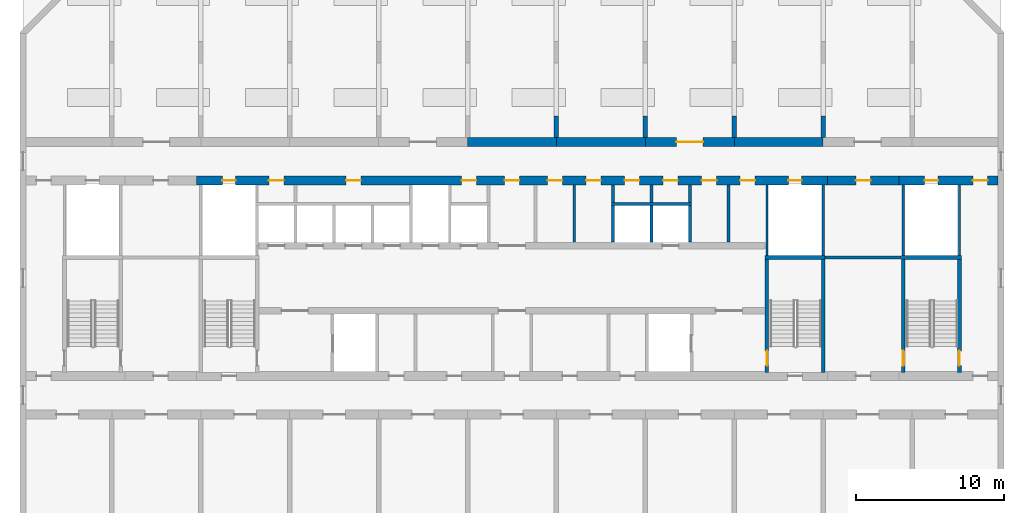
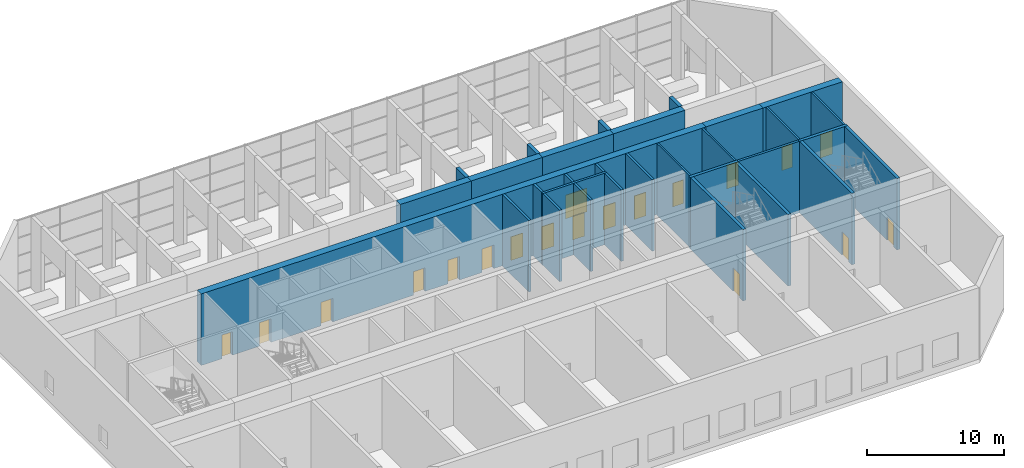
# One storey, part 9 of 13: 31 walls, 19 doors, 19 openings.
"""IFC4 building model written with IfcOpenShell, lengths in metres."""

from ifc_helpers import new_model, si_unit, direction, frame, frame_2d, origin, place, context, subcontext, project, spatial, rectangle, extrude, material, layer, layer_set, type_object, element, fill, save


model = new_model("IFC4")

# Units and contexts
model_context = context("Model", 3, precision=1e-05, world=origin(), true_north=direction((0.0, 1.0)))
body_context = subcontext(model_context, "Body", "Model", "MODEL_VIEW")
ifc_project = project(units=[si_unit("LENGTHUNIT", "METRE"), si_unit("AREAUNIT", "SQUARE_METRE"), si_unit("VOLUMEUNIT", "CUBIC_METRE"), si_unit("PLANEANGLEUNIT", "RADIAN"), si_unit("MASSUNIT", "GRAM", prefix="KILO")], contexts=[model_context])

# Site, building, storey
site_placement = place(None, origin())
site = spatial("IfcSite", under=ifc_project, at=site_placement, CompositionType="ELEMENT")
building_placement = place(site_placement, origin())
building = spatial("IfcBuilding", under=site, at=building_placement, Name="Poui Terraces", CompositionType="ELEMENT")
storey_placement = place(building_placement, frame((0.0, 0.0, 165.300048828125)))
storey = spatial("IfcBuildingStorey", under=building, at=storey_placement, Name="L46", CompositionType="ELEMENT", Elevation=165.300048828125)

# Walls
ifc_material_1 = material(Name="Concrete 65 MPa", Category="concrete")
ifc_layer_1 = layer(ifc_material_1, 0.60009765625)
ifc_layer_set_1 = layer_set([ifc_layer_1], Name="Concrete 65 MPa")
wall_type_1 = type_object("IfcWallType", Name="BELT WALL 600 65MPa", PredefinedType="SHEAR", material=ifc_layer_set_1)
for number, where, z_axis, x_axis, name in (
    (1, (48.0, 30.39990234375, 0.0), (0.0, 0.0, 1.0), (1.0, 0.0, 0.0), "BELT WALL LINE E BAY 6"),
    (2, (54.0, 30.39990234375, 0.0), (0.0, 0.0, 1.0), (1.0, 0.0, 0.0), "BELT WALL LINE E BAY 7"),
):
    element("IfcWall", number, at=place(storey_placement, frame(where, z_axis=z_axis, x_axis=x_axis)), inside=storey, type_object=wall_type_1, Name=name, PredefinedType="SHEAR", context=body_context, shape_type="SweptSolid", body=[
        extrude(rectangle(XDim=6.0, YDim=0.60009765625, at=frame_2d((3.0, 0.0))), origin(), (0.0, 0.0, 1.0), 6.3798828125),
    ])

# Wall, opening, door
wall_1_placement = place(storey_placement, frame((60.0, 30.39990234375, 0.0), z_axis=(0.0, 0.0, 1.0), x_axis=(1.0, 0.0, 0.0)))
wall_1 = element("IfcWall", 3, at=wall_1_placement, inside=storey, type_object=wall_type_1, Name="BELT WALL LINE E BAY 8", PredefinedType="SHEAR", context=body_context, shape_type="SweptSolid", body=[
    extrude(rectangle(XDim=6.0, YDim=0.60009765625, at=frame_2d((3.0, 0.0))), origin(), (0.0, 0.0, 1.0), 6.3798828125),
])
opening_1_placement = place(wall_1_placement, frame((2.10009765625, 0.0, 0.0)))
opening_1 = element("IfcOpeningElement", 4, at=opening_1_placement, cuts=wall_1, Name="Opening DD180", PredefinedType="OPENING", context=body_context, shape_type="SweptSolid", body=[
    extrude(rectangle(XDim=1.800048828125, YDim=2.10009765625, at=frame_2d((0.89990234375, 1.050048828125))), frame((0.0, 0.31005859375, 0.0), z_axis=(0.0, -1.0, 0.0), x_axis=(1.0, 0.0, 0.0)), (0.0, 0.0, 1.0), 0.6201171875),
])
ifc_material_2 = material(Name="Steel fire door", Category="steel")
door_type_1 = type_object("IfcDoorType", Name="DOUBLE INTERNAL DOOR 1800 X 2100", OperationType="DOUBLE_DOOR_SINGLE_SWING", PredefinedType="DOOR", material=ifc_material_2)
door_1_placement = place(opening_1_placement, frame((1.800048828125, 0.0, 0.0), z_axis=(0.0, 0.0, 1.0), x_axis=(-1.0, 0.0, 0.0)))
door_1 = element("IfcDoor", 5, at=door_1_placement, inside=storey, type_object=door_type_1, Name="DOUBLE INTERNAL DOOR 015", OperationType="DOUBLE_DOOR_SINGLE_SWING", OverallHeight=2.10009765625, OverallWidth=1.800048828125, PredefinedType="DOOR", context=body_context, shape_type="SweptSolid", body=[
    extrude(rectangle(XDim=1.800048828125, YDim=2.10009765625, at=frame_2d((0.89990234375, 1.050048828125))), frame((0.0, 0.02490234375, 0.0), z_axis=(0.0, -1.0, 0.0), x_axis=(1.0, 0.0, 0.0)), (0.0, 0.0, 1.0), 0.050048828125),
])
fill(opening_1, door_1)

# Wall
wall_2_placement = place(storey_placement, frame((66.0, 30.39990234375, 0.0), z_axis=(0.0, 0.0, 1.0), x_axis=(1.0, 0.0, 0.0)))
element("IfcWall", 6, at=wall_2_placement, inside=storey, type_object=wall_type_1, Name="BELT WALL LINE E BAY 9", PredefinedType="SHEAR", context=body_context, shape_type="SweptSolid", body=[
    extrude(rectangle(XDim=6.0, YDim=0.60009765625, at=frame_2d((3.0, 0.0))), origin(), (0.0, 0.0, 1.0), 6.3798828125),
])

# Wall, opening, door
ifc_layer_2 = layer(ifc_material_1, 0.60009765625)
ifc_layer_set_2 = layer_set([ifc_layer_2], Name="Concrete 65 MPa")
wall_type_2 = type_object("IfcWallType", Name="OUTRIGGER WALL 600 65MPa", PredefinedType="SHEAR", material=ifc_layer_set_2)
wall_3_placement = place(storey_placement, frame((72.300048828125, 27.800048828125, 0.0), z_axis=(0.0, 0.0, 1.0), x_axis=(1.0, 0.0, 0.0)))
wall_3 = element("IfcWall", 7, at=wall_3_placement, inside=storey, type_object=wall_type_2, Name="OUTRIGGER WALL LINE D E2", PredefinedType="SHEAR", context=body_context, shape_type="SweptSolid", body=[
    extrude(rectangle(XDim=4.800048828125, YDim=0.60009765625, at=frame_2d((2.39990234375, 0.0))), origin(), (0.0, 0.0, 1.0), 6.3798828125),
])
opening_2_placement = place(wall_3_placement, frame((1.89990234375, 0.0, 0.0)))
opening_2 = element("IfcOpeningElement", 8, at=opening_2_placement, cuts=wall_3, Name="Opening FD60", PredefinedType="OPENING", context=body_context, shape_type="SweptSolid", body=[
    extrude(rectangle(XDim=1.0, YDim=2.10009765625, at=frame_2d((0.5, 1.050048828125))), frame((0.0, 0.31005859375, 0.0), z_axis=(0.0, -1.0, 0.0), x_axis=(1.0, 0.0, 0.0)), (0.0, 0.0, 1.0), 0.6201171875),
])
door_type_2 = type_object("IfcDoorType", Name="SERVICE ROOM FIRE DOOR 1000 X 2100", OperationType="NOTDEFINED", PredefinedType="DOOR", material=ifc_material_2)
door_2_placement = place(opening_2_placement, origin())
door_2 = element("IfcDoor", 9, at=door_2_placement, inside=storey, type_object=door_type_2, Name="SERVICE ROOM FIRE DOOR 019", OperationType="SINGLE_SWING_LEFT", OverallHeight=2.10009765625, OverallWidth=1.0, PredefinedType="DOOR", context=body_context, shape_type="SweptSolid", body=[
    extrude(rectangle(XDim=1.0, YDim=2.10009765625, at=frame_2d((0.5, 1.050048828125))), frame((0.0, 0.02490234375, 0.0), z_axis=(0.0, -1.0, 0.0), x_axis=(1.0, 0.0, 0.0)), (0.0, 0.0, 1.0), 0.050048828125),
])
fill(opening_2, door_2)

# Walls
ifc_layer_3 = layer(ifc_material_1, 0.300048828125)
ifc_layer_set_3 = layer_set([ifc_layer_3], Name="Concrete 65 MPa")
wall_type_3 = type_object("IfcWallType", Name="PIERCED CROSS WALL 300 65MPa", PredefinedType="SHEAR", material=ifc_layer_set_3)
for number, where, z_axis, x_axis, name in (
    (10, (54.0, 30.699951171875, 0.0), (0.0, 0.0, 1.0), (0.0, 1.0, 0.0), "PIER LINE 10 1"),
    (11, (60.0, 30.699951171875, 0.0), (0.0, 0.0, 1.0), (0.0, 1.0, 0.0), "PIER LINE 11 1"),
    (12, (66.0, 30.699951171875, 0.0), (0.0, 0.0, 1.0), (0.0, 1.0, 0.0), "PIER LINE 12 1"),
    (13, (72.0, 30.699951171875, 0.0), (0.0, 0.0, 1.0), (0.0, 1.0, 0.0), "PIER LINE 13 1"),
):
    element("IfcWall", number, at=place(storey_placement, frame(where, z_axis=z_axis, x_axis=x_axis)), inside=storey, type_object=wall_type_3, Name=name, PredefinedType="SHEAR", context=body_context, shape_type="SweptSolid", body=[
        extrude(rectangle(XDim=1.433349609375, YDim=0.300048828125, at=frame_2d((0.716796875, 0.0))), origin(), (0.0, 0.0, 1.0), 6.3798828125),
    ])
ifc_material_3 = material(Name="Fire-rated masonry wall", Category="masonry")
ifc_layer_4 = layer(ifc_material_3, 0.199951171875)
ifc_layer_set_4 = layer_set([ifc_layer_4], Name="Fire-rated masonry wall")
wall_type_4 = type_object("IfcWallType", Name="PLANT ROOM WALL 200", PredefinedType="PARTITIONING", material=ifc_layer_set_4)
wall_4_placement = place(storey_placement, frame((55.199951171875, 23.635009765625, 0.0), z_axis=(0.0, 0.0, 1.0), x_axis=(0.0, 1.0, 0.0)))
element("IfcWall", 14, at=wall_4_placement, inside=storey, type_object=wall_type_4, Name="PLANT ROOM WALL 200", PredefinedType="PARTITIONING", context=body_context, shape_type="SweptSolid", body=[
    extrude(rectangle(XDim=3.85498046875, YDim=0.199951171875, at=frame_2d((1.927490234375, 0.0))), origin(), (0.0, 0.0, 1.0), 6.3798828125),
])
for number, where, z_axis, x_axis, name in (
    (15, (57.800048828125, 26.300048828125, 0.0), (0.0, 0.0, 1.0), (0.0, 1.0, 0.0), "PLANT ROOM WALL 200"),
    (16, (60.39990234375, 26.300048828125, 0.0), (0.0, 0.0, 1.0), (0.0, 1.0, 0.0), "PLANT ROOM WALL 200"),
    (17, (63.0, 26.300048828125, 0.0), (0.0, 0.0, 1.0), (0.0, 1.0, 0.0), "PLANT ROOM WALL 200"),
):
    element("IfcWall", number, at=place(storey_placement, frame(where, z_axis=z_axis, x_axis=x_axis)), inside=storey, type_object=wall_type_4, Name=name, PredefinedType="PARTITIONING", context=body_context, shape_type="SweptSolid", body=[
        extrude(rectangle(XDim=1.18994140625, YDim=0.199951171875, at=frame_2d((0.594970703125, 0.0))), origin(), (0.0, 0.0, 1.0), 6.3798828125),
    ])
wall_5_placement = place(storey_placement, frame((65.60009765625, 23.635009765625, 0.0), z_axis=(0.0, 0.0, 1.0), x_axis=(0.0, 1.0, 0.0)))
element("IfcWall", 18, at=wall_5_placement, inside=storey, type_object=wall_type_4, Name="PLANT ROOM WALL 200", PredefinedType="PARTITIONING", context=body_context, shape_type="SweptSolid", body=[
    extrude(rectangle(XDim=3.85498046875, YDim=0.199951171875, at=frame_2d((1.927490234375, 0.0))), origin(), (0.0, 0.0, 1.0), 6.3798828125),
])
ifc_layer_5 = layer(ifc_material_3, 0.199951171875)
ifc_layer_set_5 = layer_set([ifc_layer_5], Name="Fire-rated masonry wall")
wall_type_5 = type_object("IfcWallType", Name="REFUGE AREA WALL 200", PredefinedType="PARTITIONING", material=ifc_layer_set_5)
wall_6_placement = place(storey_placement, frame((72.135009765625, 22.60009765625, 0.0), z_axis=(0.0, 0.0, 1.0), x_axis=(1.0, 0.0, 0.0)))
element("IfcWall", 19, at=wall_6_placement, inside=storey, type_object=wall_type_5, Name="REFUGE AREA WALL 200", PredefinedType="PARTITIONING", context=body_context, shape_type="SweptSolid", body=[
    extrude(rectangle(XDim=5.1298828125, YDim=0.199951171875, at=frame_2d((2.56494140625, 0.0))), origin(), (0.0, 0.0, 1.0), 6.3798828125),
])
ifc_material_4 = material(Name="Fire-rated plasterboard riser wall")
ifc_layer_6 = layer(ifc_material_4, 0.14990234375)
ifc_layer_set_6 = layer_set([ifc_layer_6], Name="Fire-rated plasterboard riser wall")
wall_type_6 = type_object("IfcWallType", Name="RISER WALL 150", PredefinedType="PARTITIONING", material=ifc_layer_set_6)
for number, where, z_axis, x_axis, name in (
    (20, (68.199951171875, 22.735107421875, 0.0), (0.0, 0.0, 1.0), (0.0, 1.0, 0.0), "RISER WALL 150"),
    (21, (72.0, 22.735107421875, 0.0), (0.0, 0.0, 1.0), (0.0, 1.0, 0.0), "RISER WALL 150"),
    (22, (77.39990234375, 22.735107421875, 0.0), (0.0, 0.0, 1.0), (0.0, 1.0, 0.0), "RISER WALL 150"),
    (23, (81.199951171875, 22.735107421875, 0.0), (0.0, 0.0, 1.0), (0.0, 1.0, 0.0), "RISER WALL 150"),
):
    element("IfcWall", number, at=place(storey_placement, frame(where, z_axis=z_axis, x_axis=x_axis)), inside=storey, type_object=wall_type_6, Name=name, PredefinedType="PARTITIONING", context=body_context, shape_type="SweptSolid", body=[
        extrude(rectangle(XDim=4.7548828125, YDim=0.14990234375, at=frame_2d((2.37744140625, 0.0))), origin(), (0.0, 0.0, 1.0), 6.3798828125),
    ])
ifc_material_5 = material(Name="Fire-rated masonry shaft wall", Category="masonry")
ifc_layer_7 = layer(ifc_material_5, 0.199951171875)
ifc_layer_set_7 = layer_set([ifc_layer_7], Name="Fire-rated masonry shaft wall")
wall_type_7 = type_object("IfcWallType", Name="SHAFT WALL 200", PredefinedType="PARTITIONING", material=ifc_layer_set_7)
wall_7_placement = place(storey_placement, frame((57.699951171875, 26.199951171875, 0.0), z_axis=(0.0, 0.0, 1.0), x_axis=(1.0, 0.0, 0.0)))
element("IfcWall", 24, at=wall_7_placement, inside=storey, type_object=wall_type_7, Name="SHAFT WALL 200", PredefinedType="PARTITIONING", context=body_context, shape_type="SweptSolid", body=[
    extrude(rectangle(XDim=5.400146484375, YDim=0.199951171875, at=frame_2d((2.7001953125, 0.0))), origin(), (0.0, 0.0, 1.0), 6.3798828125),
])
for number, where, z_axis, x_axis, name in (
    (25, (57.800048828125, 23.635009765625, 0.0), (0.0, 0.0, 1.0), (0.0, 1.0, 0.0), "SHAFT WALL 200"),
    (26, (60.39990234375, 23.635009765625, 0.0), (0.0, 0.0, 1.0), (0.0, 1.0, 0.0), "SHAFT WALL 200"),
    (27, (63.0, 23.635009765625, 0.0), (0.0, 0.0, 1.0), (0.0, 1.0, 0.0), "SHAFT WALL 200"),
):
    element("IfcWall", number, at=place(storey_placement, frame(where, z_axis=z_axis, x_axis=x_axis)), inside=storey, type_object=wall_type_7, Name=name, PredefinedType="PARTITIONING", context=body_context, shape_type="SweptSolid", body=[
        extrude(rectangle(XDim=2.465087890625, YDim=0.199951171875, at=frame_2d((1.232421875, 0.0))), origin(), (0.0, 0.0, 1.0), 6.3798828125),
    ])

# Wall, openings, doors
ifc_layer_8 = layer(ifc_material_1, 0.60009765625)
ifc_layer_set_8 = layer_set([ifc_layer_8], Name="Concrete 65 MPa")
wall_type_8 = type_object("IfcWallType", Name="SPINE WALL 600 65 MPA", PredefinedType="SOLIDWALL", material=ifc_layer_set_8)
wall_8_placement = place(storey_placement, frame((29.699951171875, 27.800048828125, 0.0), z_axis=(0.0, 0.0, 1.0), x_axis=(1.0, 0.0, 0.0)))
wall_8 = element("IfcWall", 28, at=wall_8_placement, inside=storey, type_object=wall_type_8, Name="SPINE WALL", PredefinedType="SOLIDWALL", context=body_context, shape_type="SweptSolid", body=[
    extrude(rectangle(XDim=42.60009765625, YDim=0.60009765625, at=frame_2d((21.300048828125, 0.0))), origin(), (0.0, 0.0, 1.0), 6.3798828125),
])
opening_3_placement = place(wall_8_placement, frame((1.75, 0.0, 0.0)))
opening_3 = element("IfcOpeningElement", 29, at=opening_3_placement, cuts=wall_8, Name="Opening FDR", PredefinedType="OPENING", context=body_context, shape_type="SweptSolid", body=[
    extrude(rectangle(XDim=0.89990234375, YDim=2.10009765625, at=frame_2d((0.449951171875, 1.050048828125))), frame((0.0, 0.31005859375, 0.0), z_axis=(0.0, -1.0, 0.0), x_axis=(1.0, 0.0, 0.0)), (0.0, 0.0, 1.0), 0.6201171875),
])
opening_4_placement = place(wall_8_placement, frame((4.89990234375, 0.0, 0.0)))
opening_4 = element("IfcOpeningElement", 30, at=opening_4_placement, cuts=wall_8, Name="Opening FD60", PredefinedType="OPENING", context=body_context, shape_type="SweptSolid", body=[
    extrude(rectangle(XDim=1.0, YDim=2.10009765625, at=frame_2d((0.5, 1.050048828125))), frame((0.0, 0.31005859375, 0.0), z_axis=(0.0, -1.0, 0.0), x_axis=(1.0, 0.0, 0.0)), (0.0, 0.0, 1.0), 0.6201171875),
])
opening_5_placement = place(wall_8_placement, frame((10.10009765625, 0.0, 0.0)))
opening_5 = element("IfcOpeningElement", 31, at=opening_5_placement, cuts=wall_8, Name="Opening FD60", PredefinedType="OPENING", context=body_context, shape_type="SweptSolid", body=[
    extrude(rectangle(XDim=1.0, YDim=2.10009765625, at=frame_2d((0.5, 1.050048828125))), frame((0.0, 0.31005859375, 0.0), z_axis=(0.0, -1.0, 0.0), x_axis=(1.0, 0.0, 0.0)), (0.0, 0.0, 1.0), 0.6201171875),
])
opening_6_placement = place(wall_8_placement, frame((17.89990234375, 0.0, 0.0)))
opening_6 = element("IfcOpeningElement", 32, at=opening_6_placement, cuts=wall_8, Name="Opening FD60", PredefinedType="OPENING", context=body_context, shape_type="SweptSolid", body=[
    extrude(rectangle(XDim=1.0, YDim=2.10009765625, at=frame_2d((0.5, 1.050048828125))), frame((0.0, 0.31005859375, 0.0), z_axis=(0.0, -1.0, 0.0), x_axis=(1.0, 0.0, 0.0)), (0.0, 0.0, 1.0), 0.6201171875),
])
opening_7_placement = place(wall_8_placement, frame((20.800048828125, 0.0, 0.0)))
opening_7 = element("IfcOpeningElement", 33, at=opening_7_placement, cuts=wall_8, Name="Opening FDL", PredefinedType="OPENING", context=body_context, shape_type="SweptSolid", body=[
    extrude(rectangle(XDim=1.0, YDim=2.10009765625, at=frame_2d((0.5, 1.050048828125))), frame((0.0, 0.31005859375, 0.0), z_axis=(0.0, -1.0, 0.0), x_axis=(1.0, 0.0, 0.0)), (0.0, 0.0, 1.0), 0.6201171875),
])
opening_8_placement = place(wall_8_placement, frame((23.699951171875, 0.0, 0.0)))
opening_8 = element("IfcOpeningElement", 34, at=opening_8_placement, cuts=wall_8, Name="Opening FD60", PredefinedType="OPENING", context=body_context, shape_type="SweptSolid", body=[
    extrude(rectangle(XDim=1.0, YDim=2.10009765625, at=frame_2d((0.5, 1.050048828125))), frame((0.0, 0.31005859375, 0.0), z_axis=(0.0, -1.0, 0.0), x_axis=(1.0, 0.0, 0.0)), (0.0, 0.0, 1.0), 0.6201171875),
])
opening_9_placement = place(wall_8_placement, frame((26.300048828125, 0.0, 0.0)))
opening_9 = element("IfcOpeningElement", 35, at=opening_9_placement, cuts=wall_8, Name="Opening FD60", PredefinedType="OPENING", context=body_context, shape_type="SweptSolid", body=[
    extrude(rectangle(XDim=1.0, YDim=2.10009765625, at=frame_2d((0.5, 1.050048828125))), frame((0.0, 0.31005859375, 0.0), z_axis=(0.0, -1.0, 0.0), x_axis=(1.0, 0.0, 0.0)), (0.0, 0.0, 1.0), 0.6201171875),
])
opening_10_placement = place(wall_8_placement, frame((28.89990234375, 0.0, 0.0)))
opening_10 = element("IfcOpeningElement", 36, at=opening_10_placement, cuts=wall_8, Name="Opening FD60", PredefinedType="OPENING", context=body_context, shape_type="SweptSolid", body=[
    extrude(rectangle(XDim=1.0, YDim=2.10009765625, at=frame_2d((0.5, 1.050048828125))), frame((0.0, 0.31005859375, 0.0), z_axis=(0.0, -1.0, 0.0), x_axis=(1.0, 0.0, 0.0)), (0.0, 0.0, 1.0), 0.6201171875),
])
opening_11_placement = place(wall_8_placement, frame((31.5, 0.0, 0.0)))
opening_11 = element("IfcOpeningElement", 37, at=opening_11_placement, cuts=wall_8, Name="Opening FD60", PredefinedType="OPENING", context=body_context, shape_type="SweptSolid", body=[
    extrude(rectangle(XDim=1.0, YDim=2.10009765625, at=frame_2d((0.5, 1.050048828125))), frame((0.0, 0.31005859375, 0.0), z_axis=(0.0, -1.0, 0.0), x_axis=(1.0, 0.0, 0.0)), (0.0, 0.0, 1.0), 0.6201171875),
])
opening_12_placement = place(wall_8_placement, frame((34.10009765625, 0.0, 0.0)))
opening_12 = element("IfcOpeningElement", 38, at=opening_12_placement, cuts=wall_8, Name="Opening FD60", PredefinedType="OPENING", context=body_context, shape_type="SweptSolid", body=[
    extrude(rectangle(XDim=1.0, YDim=2.10009765625, at=frame_2d((0.5, 1.050048828125))), frame((0.0, 0.31005859375, 0.0), z_axis=(0.0, -1.0, 0.0), x_axis=(1.0, 0.0, 0.0)), (0.0, 0.0, 1.0), 0.6201171875),
])
opening_13_placement = place(wall_8_placement, frame((36.699951171875, 0.0, 0.0)))
opening_13 = element("IfcOpeningElement", 39, at=opening_13_placement, cuts=wall_8, Name="Opening FD60", PredefinedType="OPENING", context=body_context, shape_type="SweptSolid", body=[
    extrude(rectangle(XDim=1.0, YDim=2.10009765625, at=frame_2d((0.5, 1.050048828125))), frame((0.0, 0.31005859375, 0.0), z_axis=(0.0, -1.0, 0.0), x_axis=(1.0, 0.0, 0.0)), (0.0, 0.0, 1.0), 0.6201171875),
])
opening_14_placement = place(wall_8_placement, frame((39.949951171875, 0.0, 0.0)))
opening_14 = element("IfcOpeningElement", 40, at=opening_14_placement, cuts=wall_8, Name="Opening FDR", PredefinedType="OPENING", context=body_context, shape_type="SweptSolid", body=[
    extrude(rectangle(XDim=0.89990234375, YDim=2.10009765625, at=frame_2d((0.449951171875, 1.050048828125))), frame((0.0, 0.31005859375, 0.0), z_axis=(0.0, -1.0, 0.0), x_axis=(1.0, 0.0, 0.0)), (0.0, 0.0, 1.0), 0.6201171875),
])
door_type_3 = type_object("IfcDoorType", Name="LOBBY FIRE DOOR 1000 X 2100", OperationType="NOTDEFINED", PredefinedType="DOOR", material=ifc_material_2)
door_3_placement = place(opening_7_placement, origin())
door_3 = element("IfcDoor", 41, at=door_3_placement, inside=storey, type_object=door_type_3, Name="LOBBY FIRE DOOR 010", OperationType="SINGLE_SWING_RIGHT", OverallHeight=2.10009765625, OverallWidth=1.0, PredefinedType="DOOR", context=body_context, shape_type="SweptSolid", body=[
    extrude(rectangle(XDim=1.0, YDim=2.10009765625, at=frame_2d((0.5, 1.050048828125))), frame((0.0, 0.02490234375, 0.0), z_axis=(0.0, -1.0, 0.0), x_axis=(1.0, 0.0, 0.0)), (0.0, 0.0, 1.0), 0.050048828125),
])
fill(opening_7, door_3)
door_type_4 = type_object("IfcDoorType", Name="RISER CUPBOARD DOOR 900 X 2100", OperationType="NOTDEFINED", PredefinedType="DOOR", material=ifc_material_2)
door_4_placement = place(opening_3_placement, origin())
door_4 = element("IfcDoor", 42, at=door_4_placement, inside=storey, type_object=door_type_4, Name="RISER CUPBOARD DOOR 005", OperationType="SINGLE_SWING_LEFT", OverallHeight=2.10009765625, OverallWidth=0.89990234375, PredefinedType="DOOR", context=body_context, shape_type="SweptSolid", body=[
    extrude(rectangle(XDim=0.89990234375, YDim=2.10009765625, at=frame_2d((0.449951171875, 1.050048828125))), frame((0.0, 0.02490234375, 0.0), z_axis=(0.0, -1.0, 0.0), x_axis=(1.0, 0.0, 0.0)), (0.0, 0.0, 1.0), 0.050048828125),
])
fill(opening_3, door_4)
door_5_placement = place(opening_14_placement, origin())
door_5 = element("IfcDoor", 43, at=door_5_placement, inside=storey, type_object=door_type_4, Name="RISER CUPBOARD DOOR 018", OperationType="SINGLE_SWING_RIGHT", OverallHeight=2.10009765625, OverallWidth=0.89990234375, PredefinedType="DOOR", context=body_context, shape_type="SweptSolid", body=[
    extrude(rectangle(XDim=0.89990234375, YDim=2.10009765625, at=frame_2d((0.449951171875, 1.050048828125))), frame((0.0, 0.02490234375, 0.0), z_axis=(0.0, -1.0, 0.0), x_axis=(1.0, 0.0, 0.0)), (0.0, 0.0, 1.0), 0.050048828125),
])
fill(opening_14, door_5)
door_6_placement = place(opening_4_placement, origin())
door_6 = element("IfcDoor", 44, at=door_6_placement, inside=storey, type_object=door_type_2, Name="SERVICE ROOM FIRE DOOR 006", OperationType="SINGLE_SWING_LEFT", OverallHeight=2.10009765625, OverallWidth=1.0, PredefinedType="DOOR", context=body_context, shape_type="SweptSolid", body=[
    extrude(rectangle(XDim=1.0, YDim=2.10009765625, at=frame_2d((0.5, 1.050048828125))), frame((0.0, 0.02490234375, 0.0), z_axis=(0.0, -1.0, 0.0), x_axis=(1.0, 0.0, 0.0)), (0.0, 0.0, 1.0), 0.050048828125),
])
fill(opening_4, door_6)
door_7_placement = place(opening_5_placement, origin())
door_7 = element("IfcDoor", 45, at=door_7_placement, inside=storey, type_object=door_type_2, Name="SERVICE ROOM FIRE DOOR 007", OperationType="SINGLE_SWING_RIGHT", OverallHeight=2.10009765625, OverallWidth=1.0, PredefinedType="DOOR", context=body_context, shape_type="SweptSolid", body=[
    extrude(rectangle(XDim=1.0, YDim=2.10009765625, at=frame_2d((0.5, 1.050048828125))), frame((0.0, 0.02490234375, 0.0), z_axis=(0.0, -1.0, 0.0), x_axis=(1.0, 0.0, 0.0)), (0.0, 0.0, 1.0), 0.050048828125),
])
fill(opening_5, door_7)
door_8_placement = place(opening_6_placement, origin())
door_8 = element("IfcDoor", 46, at=door_8_placement, inside=storey, type_object=door_type_2, Name="SERVICE ROOM FIRE DOOR 009", OperationType="SINGLE_SWING_LEFT", OverallHeight=2.10009765625, OverallWidth=1.0, PredefinedType="DOOR", context=body_context, shape_type="SweptSolid", body=[
    extrude(rectangle(XDim=1.0, YDim=2.10009765625, at=frame_2d((0.5, 1.050048828125))), frame((0.0, 0.02490234375, 0.0), z_axis=(0.0, -1.0, 0.0), x_axis=(1.0, 0.0, 0.0)), (0.0, 0.0, 1.0), 0.050048828125),
])
fill(opening_6, door_8)
door_9_placement = place(opening_8_placement, origin())
door_9 = element("IfcDoor", 47, at=door_9_placement, inside=storey, type_object=door_type_2, Name="SERVICE ROOM FIRE DOOR 011", OperationType="SINGLE_SWING_RIGHT", OverallHeight=2.10009765625, OverallWidth=1.0, PredefinedType="DOOR", context=body_context, shape_type="SweptSolid", body=[
    extrude(rectangle(XDim=1.0, YDim=2.10009765625, at=frame_2d((0.5, 1.050048828125))), frame((0.0, 0.02490234375, 0.0), z_axis=(0.0, -1.0, 0.0), x_axis=(1.0, 0.0, 0.0)), (0.0, 0.0, 1.0), 0.050048828125),
])
fill(opening_8, door_9)
door_10_placement = place(opening_9_placement, origin())
door_10 = element("IfcDoor", 48, at=door_10_placement, inside=storey, type_object=door_type_2, Name="SERVICE ROOM FIRE DOOR 012", OperationType="SINGLE_SWING_LEFT", OverallHeight=2.10009765625, OverallWidth=1.0, PredefinedType="DOOR", context=body_context, shape_type="SweptSolid", body=[
    extrude(rectangle(XDim=1.0, YDim=2.10009765625, at=frame_2d((0.5, 1.050048828125))), frame((0.0, 0.02490234375, 0.0), z_axis=(0.0, -1.0, 0.0), x_axis=(1.0, 0.0, 0.0)), (0.0, 0.0, 1.0), 0.050048828125),
])
fill(opening_9, door_10)
door_11_placement = place(opening_10_placement, origin())
door_11 = element("IfcDoor", 49, at=door_11_placement, inside=storey, type_object=door_type_2, Name="SERVICE ROOM FIRE DOOR 013", OperationType="SINGLE_SWING_RIGHT", OverallHeight=2.10009765625, OverallWidth=1.0, PredefinedType="DOOR", context=body_context, shape_type="SweptSolid", body=[
    extrude(rectangle(XDim=1.0, YDim=2.10009765625, at=frame_2d((0.5, 1.050048828125))), frame((0.0, 0.02490234375, 0.0), z_axis=(0.0, -1.0, 0.0), x_axis=(1.0, 0.0, 0.0)), (0.0, 0.0, 1.0), 0.050048828125),
])
fill(opening_10, door_11)
door_12_placement = place(opening_11_placement, origin())
door_12 = element("IfcDoor", 50, at=door_12_placement, inside=storey, type_object=door_type_2, Name="SERVICE ROOM FIRE DOOR 014", OperationType="SINGLE_SWING_LEFT", OverallHeight=2.10009765625, OverallWidth=1.0, PredefinedType="DOOR", context=body_context, shape_type="SweptSolid", body=[
    extrude(rectangle(XDim=1.0, YDim=2.10009765625, at=frame_2d((0.5, 1.050048828125))), frame((0.0, 0.02490234375, 0.0), z_axis=(0.0, -1.0, 0.0), x_axis=(1.0, 0.0, 0.0)), (0.0, 0.0, 1.0), 0.050048828125),
])
fill(opening_11, door_12)
door_13_placement = place(opening_12_placement, origin())
door_13 = element("IfcDoor", 51, at=door_13_placement, inside=storey, type_object=door_type_2, Name="SERVICE ROOM FIRE DOOR 016", OperationType="SINGLE_SWING_RIGHT", OverallHeight=2.10009765625, OverallWidth=1.0, PredefinedType="DOOR", context=body_context, shape_type="SweptSolid", body=[
    extrude(rectangle(XDim=1.0, YDim=2.10009765625, at=frame_2d((0.5, 1.050048828125))), frame((0.0, 0.02490234375, 0.0), z_axis=(0.0, -1.0, 0.0), x_axis=(1.0, 0.0, 0.0)), (0.0, 0.0, 1.0), 0.050048828125),
])
fill(opening_12, door_13)
door_14_placement = place(opening_13_placement, origin())
door_14 = element("IfcDoor", 52, at=door_14_placement, inside=storey, type_object=door_type_2, Name="SERVICE ROOM FIRE DOOR 017", OperationType="SINGLE_SWING_LEFT", OverallHeight=2.10009765625, OverallWidth=1.0, PredefinedType="DOOR", context=body_context, shape_type="SweptSolid", body=[
    extrude(rectangle(XDim=1.0, YDim=2.10009765625, at=frame_2d((0.5, 1.050048828125))), frame((0.0, 0.02490234375, 0.0), z_axis=(0.0, -1.0, 0.0), x_axis=(1.0, 0.0, 0.0)), (0.0, 0.0, 1.0), 0.050048828125),
])
fill(opening_13, door_14)

wall_9_placement = place(storey_placement, frame((77.10009765625, 27.800048828125, 0.0), z_axis=(0.0, 0.0, 1.0), x_axis=(1.0, 0.0, 0.0)))
wall_9 = element("IfcWall", 53, at=wall_9_placement, inside=storey, type_object=wall_type_8, Name="SPINE WALL", PredefinedType="SOLIDWALL", context=body_context, shape_type="SweptSolid", body=[
    extrude(rectangle(XDim=6.699951171875, YDim=0.60009765625, at=frame_2d((3.35009765625, 0.0))), origin(), (0.0, 0.0, 1.0), 6.3798828125),
])
opening_15_placement = place(wall_9_placement, frame((1.75, 0.0, 0.0)))
opening_15 = element("IfcOpeningElement", 54, at=opening_15_placement, cuts=wall_9, Name="Opening FDR", PredefinedType="OPENING", context=body_context, shape_type="SweptSolid", body=[
    extrude(rectangle(XDim=0.89990234375, YDim=2.10009765625, at=frame_2d((0.449951171875, 1.050048828125))), frame((0.0, 0.31005859375, 0.0), z_axis=(0.0, -1.0, 0.0), x_axis=(1.0, 0.0, 0.0)), (0.0, 0.0, 1.0), 0.6201171875),
])
opening_16_placement = place(wall_9_placement, frame((5.0, 0.0, 0.0)))
opening_16 = element("IfcOpeningElement", 55, at=opening_16_placement, cuts=wall_9, Name="Opening FDL", PredefinedType="OPENING", context=body_context, shape_type="SweptSolid", body=[
    extrude(rectangle(XDim=1.0, YDim=2.10009765625, at=frame_2d((0.5, 1.050048828125))), frame((0.0, 0.31005859375, 0.0), z_axis=(0.0, -1.0, 0.0), x_axis=(1.0, 0.0, 0.0)), (0.0, 0.0, 1.0), 0.6201171875),
])
door_15_placement = place(opening_16_placement, origin())
door_15 = element("IfcDoor", 56, at=door_15_placement, inside=storey, type_object=door_type_3, Name="LOBBY FIRE DOOR 022", OperationType="SINGLE_SWING_RIGHT", OverallHeight=2.10009765625, OverallWidth=1.0, PredefinedType="DOOR", context=body_context, shape_type="SweptSolid", body=[
    extrude(rectangle(XDim=1.0, YDim=2.10009765625, at=frame_2d((0.5, 1.050048828125))), frame((0.0, 0.02490234375, 0.0), z_axis=(0.0, -1.0, 0.0), x_axis=(1.0, 0.0, 0.0)), (0.0, 0.0, 1.0), 0.050048828125),
])
fill(opening_16, door_15)
door_16_placement = place(opening_15_placement, origin())
door_16 = element("IfcDoor", 57, at=door_16_placement, inside=storey, type_object=door_type_4, Name="RISER CUPBOARD DOOR 021", OperationType="SINGLE_SWING_RIGHT", OverallHeight=2.10009765625, OverallWidth=0.89990234375, PredefinedType="DOOR", context=body_context, shape_type="SweptSolid", body=[
    extrude(rectangle(XDim=0.89990234375, YDim=2.10009765625, at=frame_2d((0.449951171875, 1.050048828125))), frame((0.0, 0.02490234375, 0.0), z_axis=(0.0, -1.0, 0.0), x_axis=(1.0, 0.0, 0.0)), (0.0, 0.0, 1.0), 0.050048828125),
])
fill(opening_15, door_16)

# Wall, opening, door
ifc_layer_9 = layer(ifc_material_1, 0.25)
ifc_layer_set_9 = layer_set([ifc_layer_9], Name="Concrete 65 MPa")
wall_type_9 = type_object("IfcWallType", Name="STAIR CORE WALL 250 65 MPA", PredefinedType="SOLIDWALL", material=ifc_layer_set_9)
wall_10_placement = place(storey_placement, frame((68.199951171875, 14.824951171875, 0.0), z_axis=(0.0, 0.0, 1.0), x_axis=(0.0, 1.0, 0.0)))
wall_10 = element("IfcWall", 58, at=wall_10_placement, inside=storey, type_object=wall_type_9, Name="STAIR CORE WALL", PredefinedType="SOLIDWALL", context=body_context, shape_type="SweptSolid", body=[
    extrude(rectangle(XDim=7.650146484375, YDim=0.25, at=frame_2d((3.8251953125, 0.0))), origin(), (0.0, 0.0, 1.0), 6.3798828125),
])
opening_17_placement = place(wall_10_placement, frame((0.47509765625, 0.0, 0.0)))
opening_17 = element("IfcOpeningElement", 59, at=opening_17_placement, cuts=wall_10, Name="Opening FD60S", PredefinedType="OPENING", context=body_context, shape_type="SweptSolid", body=[
    extrude(rectangle(XDim=1.0, YDim=2.10009765625, at=frame_2d((0.5, 1.050048828125))), frame((0.0, 0.135009765625, 0.0), z_axis=(0.0, -1.0, 0.0), x_axis=(1.0, 0.0, 0.0)), (0.0, 0.0, 1.0), 0.27001953125),
])
door_type_5 = type_object("IfcDoorType", Name="STAIR DOOR 1000 X 2100", OperationType="NOTDEFINED", PredefinedType="DOOR", material=ifc_material_2)
door_17_placement = place(opening_17_placement, frame((1.0, 0.0, 0.0), z_axis=(0.0, 0.0, 1.0), x_axis=(-1.0, 0.0, 0.0)))
door_17 = element("IfcDoor", 60, at=door_17_placement, inside=storey, type_object=door_type_5, Name="STAIR DOOR 046", OperationType="SINGLE_SWING_LEFT", OverallHeight=2.10009765625, OverallWidth=1.0, PredefinedType="DOOR", context=body_context, shape_type="SweptSolid", body=[
    extrude(rectangle(XDim=1.0, YDim=2.10009765625, at=frame_2d((0.5, 1.050048828125))), frame((0.0, 0.02490234375, 0.0), z_axis=(0.0, -1.0, 0.0), x_axis=(1.0, 0.0, 0.0)), (0.0, 0.0, 1.0), 0.050048828125),
])
fill(opening_17, door_17)

# Walls
wall_11_placement = place(storey_placement, frame((72.0, 14.824951171875, 0.0), z_axis=(0.0, 0.0, 1.0), x_axis=(0.0, 1.0, 0.0)))
element("IfcWall", 61, at=wall_11_placement, inside=storey, type_object=wall_type_9, Name="STAIR CORE WALL", PredefinedType="SOLIDWALL", context=body_context, shape_type="SweptSolid", body=[
    extrude(rectangle(XDim=7.650146484375, YDim=0.25, at=frame_2d((3.8251953125, 0.0))), origin(), (0.0, 0.0, 1.0), 6.3798828125),
])
wall_12_placement = place(storey_placement, frame((68.074951171875, 22.60009765625, 0.0), z_axis=(0.0, 0.0, 1.0), x_axis=(1.0, 0.0, 0.0)))
element("IfcWall", 62, at=wall_12_placement, inside=storey, type_object=wall_type_9, Name="STAIR CORE WALL", PredefinedType="SOLIDWALL", context=body_context, shape_type="SweptSolid", body=[
    extrude(rectangle(XDim=4.050048828125, YDim=0.25, at=frame_2d((2.02490234375, 0.0))), origin(), (0.0, 0.0, 1.0), 6.3798828125),
])

# Wall, opening, door
wall_13_placement = place(storey_placement, frame((77.39990234375, 14.824951171875, 0.0), z_axis=(0.0, 0.0, 1.0), x_axis=(0.0, 1.0, 0.0)))
wall_13 = element("IfcWall", 63, at=wall_13_placement, inside=storey, type_object=wall_type_9, Name="STAIR CORE WALL", PredefinedType="SOLIDWALL", context=body_context, shape_type="SweptSolid", body=[
    extrude(rectangle(XDim=7.650146484375, YDim=0.25, at=frame_2d((3.8251953125, 0.0))), origin(), (0.0, 0.0, 1.0), 6.3798828125),
])
opening_18_placement = place(wall_13_placement, frame((0.47509765625, 0.0, 0.0)))
opening_18 = element("IfcOpeningElement", 64, at=opening_18_placement, cuts=wall_13, Name="Opening FDRF", PredefinedType="OPENING", context=body_context, shape_type="SweptSolid", body=[
    extrude(rectangle(XDim=1.0, YDim=2.10009765625, at=frame_2d((0.5, 1.050048828125))), frame((0.0, 0.135009765625, 0.0), z_axis=(0.0, -1.0, 0.0), x_axis=(1.0, 0.0, 0.0)), (0.0, 0.0, 1.0), 0.27001953125),
])
door_type_6 = type_object("IfcDoorType", Name="REFUGE AREA DOOR 1000 X 2100", OperationType="NOTDEFINED", PredefinedType="DOOR", material=ifc_material_2)
door_18_placement = place(opening_18_placement, frame((1.0, 0.0, 0.0), z_axis=(0.0, 0.0, 1.0), x_axis=(-1.0, 0.0, 0.0)))
door_18 = element("IfcDoor", 65, at=door_18_placement, inside=storey, type_object=door_type_6, Name="REFUGE AREA DOOR 060", OperationType="SINGLE_SWING_LEFT", OverallHeight=2.10009765625, OverallWidth=1.0, PredefinedType="DOOR", context=body_context, shape_type="SweptSolid", body=[
    extrude(rectangle(XDim=1.0, YDim=2.10009765625, at=frame_2d((0.5, 1.050048828125))), frame((0.0, 0.02490234375, 0.0), z_axis=(0.0, -1.0, 0.0), x_axis=(1.0, 0.0, 0.0)), (0.0, 0.0, 1.0), 0.050048828125),
])
fill(opening_18, door_18)

wall_14_placement = place(storey_placement, frame((81.199951171875, 14.824951171875, 0.0), z_axis=(0.0, 0.0, 1.0), x_axis=(0.0, 1.0, 0.0)))
wall_14 = element("IfcWall", 66, at=wall_14_placement, inside=storey, type_object=wall_type_9, Name="STAIR CORE WALL", PredefinedType="SOLIDWALL", context=body_context, shape_type="SweptSolid", body=[
    extrude(rectangle(XDim=7.650146484375, YDim=0.25, at=frame_2d((3.8251953125, 0.0))), origin(), (0.0, 0.0, 1.0), 6.3798828125),
])
opening_19_placement = place(wall_14_placement, frame((0.47509765625, 0.0, 0.0)))
opening_19 = element("IfcOpeningElement", 67, at=opening_19_placement, cuts=wall_14, Name="Opening FD60S", PredefinedType="OPENING", context=body_context, shape_type="SweptSolid", body=[
    extrude(rectangle(XDim=1.0, YDim=2.10009765625, at=frame_2d((0.5, 1.050048828125))), frame((0.0, 0.135009765625, 0.0), z_axis=(0.0, -1.0, 0.0), x_axis=(1.0, 0.0, 0.0)), (0.0, 0.0, 1.0), 0.27001953125),
])
door_19_placement = place(opening_19_placement, origin())
door_19 = element("IfcDoor", 68, at=door_19_placement, inside=storey, type_object=door_type_5, Name="STAIR DOOR 062", OperationType="SINGLE_SWING_LEFT", OverallHeight=2.10009765625, OverallWidth=1.0, PredefinedType="DOOR", context=body_context, shape_type="SweptSolid", body=[
    extrude(rectangle(XDim=1.0, YDim=2.10009765625, at=frame_2d((0.5, 1.050048828125))), frame((0.0, 0.02490234375, 0.0), z_axis=(0.0, -1.0, 0.0), x_axis=(1.0, 0.0, 0.0)), (0.0, 0.0, 1.0), 0.050048828125),
])
fill(opening_19, door_19)

# Wall
wall_15_placement = place(storey_placement, frame((77.27490234375, 22.60009765625, 0.0), z_axis=(0.0, 0.0, 1.0), x_axis=(1.0, 0.0, 0.0)))
element("IfcWall", 69, at=wall_15_placement, inside=storey, type_object=wall_type_9, Name="STAIR CORE WALL", PredefinedType="SOLIDWALL", context=body_context, shape_type="SweptSolid", body=[
    extrude(rectangle(XDim=4.050048828125, YDim=0.25, at=frame_2d((2.02490234375, 0.0))), origin(), (0.0, 0.0, 1.0), 6.3798828125),
])

save(model, "model.ifc")
